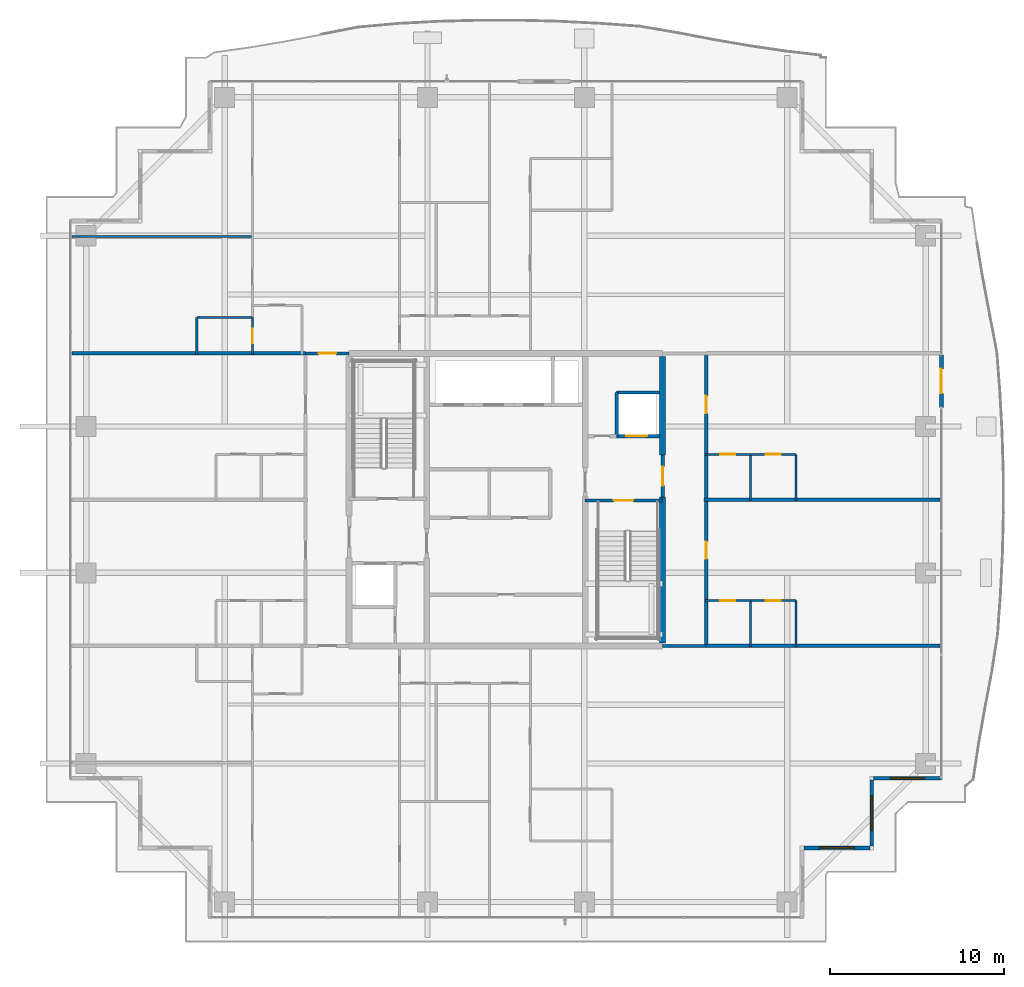
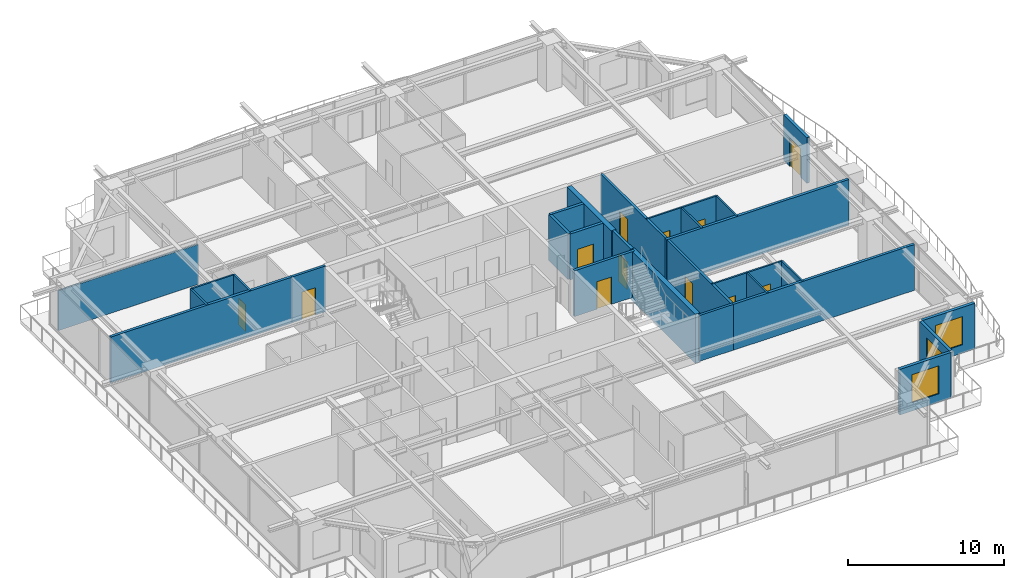
# One storey, part 28 of 38: 29 walls, 12 doors, 3 windows, 15 openings.
"""IFC4 building model written with IfcOpenShell, lengths in metres."""

from ifc_helpers import new_model, si_unit, direction, frame, frame_2d, origin, place, context, subcontext, project, spatial, rectangle, extrude, source, transform, mapped, material, layer, layer_set, type_object, element, fill, save


model = new_model("IFC4")

# Units and contexts
model_context = context("Model", 3, precision=1e-05, world=origin(), true_north=direction((0.0, 1.0)))
body_context = subcontext(model_context, "Body", "Model", "MODEL_VIEW")
ifc_project = project(units=[si_unit("LENGTHUNIT", "METRE"), si_unit("AREAUNIT", "SQUARE_METRE"), si_unit("VOLUMEUNIT", "CUBIC_METRE"), si_unit("PLANEANGLEUNIT", "RADIAN"), si_unit("MASSUNIT", "GRAM", prefix="KILO")], contexts=[model_context])

# Site, building, storey
site_placement = place(None, origin())
site = spatial("IfcSite", under=ifc_project, at=site_placement, CompositionType="ELEMENT")
building_placement = place(site_placement, origin())
building = spatial("IfcBuilding", under=site, at=building_placement, Name="Serunith Strait Residences", CompositionType="ELEMENT")
storey_placement = place(building_placement, frame((0.0, 0.0, 264.35009765625)))
storey = spatial("IfcBuildingStorey", under=building, at=storey_placement, Name="L66", CompositionType="ELEMENT", Elevation=264.35009765625)

# Wall, opening, window
ifc_material_1 = material(Name="Pale-Champagne Aluminium Insulated Panel", Category="aluminium")
ifc_layer_1 = layer(ifc_material_1, 0.219970703125, Name="Pale-Champagne Aluminium Insulated Panel")
ifc_layer_set_1 = layer_set([ifc_layer_1], Name="Pale-Champagne Aluminium Insulated Panel")
wall_type_1 = type_object("IfcWallType", Name="EW-ALUM-220", PredefinedType="ELEMENTEDWALL", material=ifc_layer_set_1)
wall_1_placement = place(storey_placement, frame((49.510009765625, 5.199951171875, 0.0), z_axis=(0.0, 0.0, 1.0), x_axis=(1.0, 0.0, 0.0)))
wall_1 = element("IfcWall", 1, at=wall_1_placement, inside=storey, type_object=wall_type_1, Name="L66 Girih Serrated Corner Wall 03", PredefinedType="ELEMENTEDWALL", context=body_context, shape_type="SweptSolid", body=[
    extrude(rectangle(XDim=3.780029296875, YDim=0.219970703125, at=frame_2d((1.89013671875, 0.0))), origin(), (0.0, 0.0, 1.0), 3.574951171875),
])
opening_1_placement = place(wall_1_placement, frame((0.889892578125, 0.0, 0.64990234375)))
opening_1 = element("IfcOpeningElement", 2, at=opening_1_placement, cuts=wall_1, Name="Opening W-04", PredefinedType="OPENING", context=body_context, shape_type="SweptSolid", body=[
    extrude(rectangle(XDim=2.0, YDim=2.199951171875, at=frame_2d((1.0, 1.10009765625))), frame((0.0, 0.1201171875, 0.0), z_axis=(0.0, -1.0, 0.0), x_axis=(1.0, 0.0, 0.0)), (0.0, 0.0, 1.0), 0.239990234375),
])
ifc_material_2 = material(Name="Ceramic-Fritted Operable Aluminium Window Glass", Category="aluminium")
window_type = type_object("IfcWindowType", Name="WIN-C4", PartitioningType="TRIPLE_PANEL_VERTICAL", PredefinedType="WINDOW", material=ifc_material_2)
shared_shape_1 = source(origin(), body_context, "Body", "SweptSolid", [
    extrude(rectangle(XDim=2.0, YDim=2.199951171875, at=frame_2d((1.0, 1.10009765625))), frame((0.0, 0.030029296875, 0.0), z_axis=(0.0, -1.0, 0.0), x_axis=(1.0, 0.0, 0.0)), (0.0, 0.0, 1.0), 0.06005859375),
])
window_1_placement = place(opening_1_placement, origin())
window_1 = element("IfcWindow", 3, at=window_1_placement, inside=storey, type_object=window_type, Name="L66 Corner Operable Fritted Window 03", OverallHeight=2.199951171875, OverallWidth=2.0, PartitioningType="SINGLE_PANEL", PredefinedType="WINDOW", context=body_context, shape_type="MappedRepresentation", body=[
    mapped(shared_shape_1, transform((0.0, 0.0, 0.0), scale=1.0)),
])
fill(opening_1, window_1)

wall_2_placement = place(storey_placement, frame((53.39990234375, 5.31005859375, 0.0), z_axis=(0.0, 0.0, 1.0), x_axis=(0.0, 1.0, 0.0)))
wall_2 = element("IfcWall", 4, at=wall_2_placement, inside=storey, type_object=wall_type_1, Name="L66 Girih Serrated Corner Wall 04", PredefinedType="ELEMENTEDWALL", context=body_context, shape_type="SweptSolid", body=[
    extrude(rectangle(XDim=3.780029296875, YDim=0.219970703125, at=frame_2d((1.89013671875, 0.0))), origin(), (0.0, 0.0, 1.0), 3.574951171875),
])
opening_2_placement = place(wall_2_placement, frame((0.889892578125, 0.0, 0.64990234375)))
opening_2 = element("IfcOpeningElement", 5, at=opening_2_placement, cuts=wall_2, Name="Opening W-04", PredefinedType="OPENING", context=body_context, shape_type="SweptSolid", body=[
    extrude(rectangle(XDim=2.0, YDim=2.199951171875, at=frame_2d((1.0, 1.10009765625))), frame((0.0, 0.1201171875, 0.0), z_axis=(0.0, -1.0, 0.0), x_axis=(1.0, 0.0, 0.0)), (0.0, 0.0, 1.0), 0.239990234375),
])
window_2_placement = place(opening_2_placement, origin())
window_2 = element("IfcWindow", 6, at=window_2_placement, inside=storey, type_object=window_type, Name="L66 Corner Operable Fritted Window 04", OverallHeight=2.199951171875, OverallWidth=2.0, PartitioningType="SINGLE_PANEL", PredefinedType="WINDOW", context=body_context, shape_type="MappedRepresentation", body=[
    mapped(shared_shape_1, transform((0.0, 0.0, 0.0), scale=1.0)),
])
fill(opening_2, window_2)

wall_3_placement = place(storey_placement, frame((53.510009765625, 9.199951171875, 0.0), z_axis=(0.0, 0.0, 1.0), x_axis=(1.0, 0.0, 0.0)))
wall_3 = element("IfcWall", 7, at=wall_3_placement, inside=storey, type_object=wall_type_1, Name="L66 Girih Serrated Corner Wall 05", PredefinedType="ELEMENTEDWALL", context=body_context, shape_type="SweptSolid", body=[
    extrude(rectangle(XDim=3.889892578125, YDim=0.219970703125, at=frame_2d((1.94482421875, 0.0))), origin(), (0.0, 0.0, 1.0), 3.574951171875),
])
opening_3_placement = place(wall_3_placement, frame((0.945068359375, 0.0, 0.64990234375)))
opening_3 = element("IfcOpeningElement", 8, at=opening_3_placement, cuts=wall_3, Name="Opening W-04", PredefinedType="OPENING", context=body_context, shape_type="SweptSolid", body=[
    extrude(rectangle(XDim=2.0, YDim=2.199951171875, at=frame_2d((1.0, 1.10009765625))), frame((0.0, 0.1201171875, 0.0), z_axis=(0.0, -1.0, 0.0), x_axis=(1.0, 0.0, 0.0)), (0.0, 0.0, 1.0), 0.239990234375),
])
window_3_placement = place(opening_3_placement, origin())
window_3 = element("IfcWindow", 9, at=window_3_placement, inside=storey, type_object=window_type, Name="L66 Corner Operable Fritted Window 05", OverallHeight=2.199951171875, OverallWidth=2.0, PartitioningType="SINGLE_PANEL", PredefinedType="WINDOW", context=body_context, shape_type="MappedRepresentation", body=[
    mapped(shared_shape_1, transform((0.0, 0.0, 0.0), scale=1.0)),
])
fill(opening_3, window_3)

# Wall, opening, door
wall_4_placement = place(storey_placement, frame((57.39990234375, 30.5, 0.0), z_axis=(0.0, 0.0, 1.0), x_axis=(0.0, 1.0, 0.0)))
wall_4 = element("IfcWall", 10, at=wall_4_placement, inside=storey, type_object=wall_type_1, Name="L66 E Facade Pier Wall", PredefinedType="ELEMENTEDWALL", context=body_context, shape_type="SweptSolid", body=[
    extrude(rectangle(XDim=3.0, YDim=0.219970703125, at=frame_2d((1.5, 0.0))), origin(), (0.0, 0.0, 1.0), 3.574951171875),
])
opening_4_placement = place(wall_4_placement, frame((0.800048828125, 0.0, 0.0)))
opening_4 = element("IfcOpeningElement", 11, at=opening_4_placement, cuts=wall_4, Name="Opening ED-04", PredefinedType="OPENING", context=body_context, shape_type="SweptSolid", body=[
    extrude(rectangle(XDim=1.39990234375, YDim=2.25, at=frame_2d((0.699951171875, 1.125))), frame((0.0, 0.1201171875, 0.0), z_axis=(0.0, -1.0, 0.0), x_axis=(1.0, 0.0, 0.0)), (0.0, 0.0, 1.0), 0.239990234375),
])
ifc_material_3 = material(Name="Thermally-Broken Aluminium Sliding Balcony Door", Category="aluminium")
door_type_1 = type_object("IfcDoorType", Name="ED-BALC-1400", OperationType="NOTDEFINED", PredefinedType="DOOR", material=ifc_material_3)
shared_shape_2 = source(origin(), body_context, "Body", "SweptSolid", [
    extrude(rectangle(XDim=1.39990234375, YDim=2.25, at=frame_2d((0.699951171875, 1.125))), frame((0.0, 0.02490234375, 0.0), z_axis=(0.0, -1.0, 0.0), x_axis=(1.0, 0.0, 0.0)), (0.0, 0.0, 1.0), 0.050048828125),
])
door_1_placement = place(opening_4_placement, origin())
door_1 = element("IfcDoor", 12, at=door_1_placement, inside=storey, type_object=door_type_1, Name="L66 E Vertical-Forest Balcony Door", OperationType="SLIDING_TO_LEFT", OverallHeight=2.25, OverallWidth=1.39990234375, PredefinedType="DOOR", context=body_context, shape_type="MappedRepresentation", body=[
    mapped(shared_shape_2, transform((0.0, 0.0, 0.0), scale=1.0)),
])
fill(opening_4, door_1)

ifc_material_4 = material(Name="Fire-rated acoustic gypsum partition")
ifc_layer_2 = layer(ifc_material_4, 0.179931640625, Name="Fire-rated acoustic gypsum partition")
ifc_layer_set_2 = layer_set([ifc_layer_2], Name="Fire-rated acoustic gypsum partition")
wall_type_2 = type_object("IfcWallType", Name="IW-CORR-180", PredefinedType="PARTITIONING", material=ifc_layer_set_2)
wall_5_placement = place(storey_placement, frame((20.902099609375, 33.60009765625, 0.0), z_axis=(0.0, 0.0, 1.0), x_axis=(1.0, 0.0, 0.0)))
wall_5 = element("IfcWall", 13, at=wall_5_placement, inside=storey, type_object=wall_type_2, Name="L66 Partition Wall 025", PredefinedType="PARTITIONING", context=body_context, shape_type="SweptSolid", body=[
    extrude(rectangle(XDim=2.495849609375, YDim=0.179931640625, at=frame_2d((1.248046875, 0.0))), origin(), (0.0, 0.0, 1.0), 3.58984375),
])
opening_5_placement = place(wall_5_placement, frame((0.748046875, 0.0, 0.0)))
opening_5 = element("IfcOpeningElement", 14, at=opening_5_placement, cuts=wall_5, Name="Opening D-APT1000", PredefinedType="OPENING", context=body_context, shape_type="SweptSolid", body=[
    extrude(rectangle(XDim=1.0, YDim=2.14990234375, at=frame_2d((0.5, 1.074951171875))), frame((0.0, 0.10009765625, 0.0), z_axis=(0.0, -1.0, 0.0), x_axis=(1.0, 0.0, 0.0)), (0.0, 0.0, 1.0), 0.199951171875),
])
ifc_material_5 = material(Name="Solid timber engineered fire door", Category="wood")
door_type_2 = type_object("IfcDoorType", Name="ID-APT-1000", OperationType="NOTDEFINED", PredefinedType="DOOR", material=ifc_material_5)
shared_shape_3 = source(origin(), body_context, "Body", "SweptSolid", [
    extrude(rectangle(XDim=1.0, YDim=2.14990234375, at=frame_2d((0.5, 1.074951171875))), frame((0.0, 0.02490234375, 0.0), z_axis=(0.0, -1.0, 0.0), x_axis=(1.0, 0.0, 0.0)), (0.0, 0.0, 1.0), 0.050048828125),
])
door_2_placement = place(opening_5_placement, origin())
door_2 = element("IfcDoor", 15, at=door_2_placement, inside=storey, type_object=door_type_2, Name="L66 Unit 02 Entrance Door", OperationType="SINGLE_SWING_LEFT", OverallHeight=2.14990234375, OverallWidth=1.0, PredefinedType="DOOR", context=body_context, shape_type="MappedRepresentation", body=[
    mapped(shared_shape_3, transform((0.0, 0.0, 0.0), scale=1.0)),
])
fill(opening_5, door_2)

# Wall
wall_6_placement = place(storey_placement, frame((41.402099609375, 16.800048828125, 0.0), z_axis=(0.0, 0.0, 1.0), x_axis=(1.0, 0.0, 0.0)))
element("IfcWall", 16, at=wall_6_placement, inside=storey, type_object=wall_type_2, Name="L66 Partition Wall 027", PredefinedType="PARTITIONING", context=body_context, shape_type="SweptSolid", body=[
    extrude(rectangle(XDim=2.495849609375, YDim=0.179931640625, at=frame_2d((1.248046875, 0.0))), origin(), (0.0, 0.0, 1.0), 3.58984375),
])

# Wall, openings, doors
wall_7_placement = place(storey_placement, frame((43.89990234375, 16.800048828125, 0.0), z_axis=(0.0, 0.0, 1.0), x_axis=(0.0, 1.0, 0.0)))
wall_7 = element("IfcWall", 17, at=wall_7_placement, inside=storey, type_object=wall_type_2, Name="L66 Partition Wall 029", PredefinedType="PARTITIONING", context=body_context, shape_type="SweptSolid", body=[
    extrude(rectangle(XDim=16.800048828125, YDim=0.179931640625, at=frame_2d((8.39990234375, 0.0))), origin(), (0.0, 0.0, 1.0), 3.58984375),
])
opening_6_placement = place(wall_7_placement, frame((4.992919921875, 0.0, 0.0)))
opening_6 = element("IfcOpeningElement", 18, at=opening_6_placement, cuts=wall_7, Name="Opening D-APT1000", PredefinedType="OPENING", context=body_context, shape_type="SweptSolid", body=[
    extrude(rectangle(XDim=1.0, YDim=2.14990234375, at=frame_2d((0.5, 1.074951171875))), frame((0.0, 0.10009765625, 0.0), z_axis=(0.0, -1.0, 0.0), x_axis=(1.0, 0.0, 0.0)), (0.0, 0.0, 1.0), 0.199951171875),
])
opening_7_placement = place(wall_7_placement, frame((13.35107421875, 0.0, 0.0)))
opening_7 = element("IfcOpeningElement", 19, at=opening_7_placement, cuts=wall_7, Name="Opening D-APT1000", PredefinedType="OPENING", context=body_context, shape_type="SweptSolid", body=[
    extrude(rectangle(XDim=1.0, YDim=2.14990234375, at=frame_2d((0.5, 1.074951171875))), frame((0.0, 0.10009765625, 0.0), z_axis=(0.0, -1.0, 0.0), x_axis=(1.0, 0.0, 0.0)), (0.0, 0.0, 1.0), 0.199951171875),
])
door_3_placement = place(opening_6_placement, origin())
door_3 = element("IfcDoor", 20, at=door_3_placement, inside=storey, type_object=door_type_2, Name="L66 Unit 05 Entrance Door", OperationType="SINGLE_SWING_RIGHT", OverallHeight=2.14990234375, OverallWidth=1.0, PredefinedType="DOOR", context=body_context, shape_type="MappedRepresentation", body=[
    mapped(shared_shape_3, transform((0.0, 0.0, 0.0), scale=1.0)),
])
fill(opening_6, door_3)
door_4_placement = place(opening_7_placement, origin())
door_4 = element("IfcDoor", 21, at=door_4_placement, inside=storey, type_object=door_type_2, Name="L66 Unit 06 Entrance Door", OperationType="SINGLE_SWING_LEFT", OverallHeight=2.14990234375, OverallWidth=1.0, PredefinedType="DOOR", context=body_context, shape_type="MappedRepresentation", body=[
    mapped(shared_shape_3, transform((0.0, 0.0, 0.0), scale=1.0)),
])
fill(opening_7, door_4)

# Walls
ifc_material_6 = material(Name="Lightweight steel-stud gypsum partition", Category="steel")
ifc_layer_3 = layer(ifc_material_6, 0.1201171875, Name="Lightweight steel-stud gypsum partition")
ifc_layer_set_3 = layer_set([ifc_layer_3], Name="Lightweight steel-stud gypsum partition")
wall_type_3 = type_object("IfcWallType", Name="IW-PART-120", PredefinedType="PARTITIONING", material=ifc_layer_set_3)
wall_8_placement = place(storey_placement, frame((7.4951171875, 40.305908203125, 0.0), z_axis=(0.0, 0.0, 1.0), x_axis=(1.0, 0.0, 0.0)))
element("IfcWall", 22, at=wall_8_placement, inside=storey, type_object=wall_type_3, Name="L66 Partition Wall 056", PredefinedType="PARTITIONING", context=body_context, shape_type="SweptSolid", body=[
    extrude(rectangle(XDim=10.35498046875, YDim=0.1201171875, at=frame_2d((5.177490234375, 0.0))), origin(), (0.0, 0.0, 1.0), 3.121826171875),
])
wall_9_placement = place(storey_placement, frame((14.64990234375, 35.64990234375, 0.0), z_axis=(0.0, 0.0, 1.0), x_axis=(1.0, 0.0, 0.0)))
element("IfcWall", 23, at=wall_9_placement, inside=storey, type_object=wall_type_3, Name="L66 Partition Wall 057", PredefinedType="PARTITIONING", context=body_context, shape_type="SweptSolid", body=[
    extrude(rectangle(XDim=3.2001953125, YDim=0.1201171875, at=frame_2d((1.60009765625, 0.0))), origin(), (0.0, 0.0, 1.0), 3.58984375),
])
wall_10_placement = place(storey_placement, frame((14.64990234375, 35.64990234375, 0.0), z_axis=(0.0, 0.0, 1.0), x_axis=(0.0, -1.0, 0.0)))
element("IfcWall", 24, at=wall_10_placement, inside=storey, type_object=wall_type_3, Name="L66 Partition Wall 058", PredefinedType="PARTITIONING", context=body_context, shape_type="SweptSolid", body=[
    extrude(rectangle(XDim=2.10986328125, YDim=0.1201171875, at=frame_2d((1.054931640625, 0.0))), origin(), (0.0, 0.0, 1.0), 3.58984375),
])

# Wall, opening, door
wall_11_placement = place(storey_placement, frame((17.85009765625, 35.64794921875, 0.0), z_axis=(0.0, 0.0, 1.0), x_axis=(0.0, -1.0, 0.0)))
wall_11 = element("IfcWall", 25, at=wall_11_placement, inside=storey, type_object=wall_type_3, Name="L66 Partition Wall 060", PredefinedType="PARTITIONING", context=body_context, shape_type="SweptSolid", body=[
    extrude(rectangle(XDim=2.10791015625, YDim=0.1201171875, at=frame_2d((1.053955078125, 0.0))), origin(), (0.0, 0.0, 1.0), 3.58984375),
])
opening_8_placement = place(wall_11_placement, frame((0.62890625, 0.0, 0.0)))
opening_8 = element("IfcOpeningElement", 26, at=opening_8_placement, cuts=wall_11, Name="Opening D-BTH850", PredefinedType="OPENING", context=body_context, shape_type="SweptSolid", body=[
    extrude(rectangle(XDim=0.85009765625, YDim=2.10009765625, at=frame_2d((0.425048828125, 1.050048828125))), frame((0.0, 0.070068359375, 0.0), z_axis=(0.0, -1.0, 0.0), x_axis=(1.0, 0.0, 0.0)), (0.0, 0.0, 1.0), 0.14013671875),
])
ifc_material_7 = material(Name="Moisture-resistant timber bathroom door", Category="wood")
door_type_3 = type_object("IfcDoorType", Name="ID-BATH-850", OperationType="NOTDEFINED", PredefinedType="DOOR", material=ifc_material_7)
shared_shape_4 = source(origin(), body_context, "Body", "SweptSolid", [
    extrude(rectangle(XDim=0.85009765625, YDim=2.10009765625, at=frame_2d((0.425048828125, 1.050048828125))), frame((0.0, 0.02490234375, 0.0), z_axis=(0.0, -1.0, 0.0), x_axis=(1.0, 0.0, 0.0)), (0.0, 0.0, 1.0), 0.050048828125),
])
door_5_placement = place(opening_8_placement, origin())
door_5 = element("IfcDoor", 27, at=door_5_placement, inside=storey, type_object=door_type_3, Name="L66 Bathroom 6602 Door", OperationType="SINGLE_SWING_RIGHT", OverallHeight=2.10009765625, OverallWidth=0.85009765625, PredefinedType="DOOR", context=body_context, shape_type="MappedRepresentation", body=[
    mapped(shared_shape_4, transform((0.0, 0.0, 0.0), scale=1.0)),
])
fill(opening_8, door_5)

wall_12_placement = place(storey_placement, frame((49.050048828125, 19.39990234375, 0.0), z_axis=(0.0, 0.0, 1.0), x_axis=(-1.0, 0.0, 0.0)))
wall_12 = element("IfcWall", 28, at=wall_12_placement, inside=storey, type_object=wall_type_3, Name="L66 Partition Wall 084", PredefinedType="PARTITIONING", context=body_context, shape_type="SweptSolid", body=[
    extrude(rectangle(XDim=2.60009765625, YDim=0.1201171875, at=frame_2d((1.300048828125, 0.0))), origin(), (0.0, 0.0, 1.0), 3.58984375),
])
opening_9_placement = place(wall_12_placement, frame((0.875, 0.0, 0.0)))
opening_9 = element("IfcOpeningElement", 29, at=opening_9_placement, cuts=wall_12, Name="Opening D-RM850", PredefinedType="OPENING", context=body_context, shape_type="SweptSolid", body=[
    extrude(rectangle(XDim=0.85009765625, YDim=2.10009765625, at=frame_2d((0.425048828125, 1.050048828125))), frame((0.0, 0.070068359375, 0.0), z_axis=(0.0, -1.0, 0.0), x_axis=(1.0, 0.0, 0.0)), (0.0, 0.0, 1.0), 0.14013671875),
])
ifc_material_8 = material(Name="Engineered timber flush study and kitchen door", Category="wood")
door_type_4 = type_object("IfcDoorType", Name="ID-ROOM-850", OperationType="NOTDEFINED", PredefinedType="DOOR", material=ifc_material_8)
door_6_placement = place(opening_9_placement, origin())
door_6 = element("IfcDoor", 30, at=door_6_placement, inside=storey, type_object=door_type_4, Name="L66 Kitchen 6605 Door", OperationType="SINGLE_SWING_RIGHT", OverallHeight=2.10009765625, OverallWidth=0.85009765625, PredefinedType="DOOR", context=body_context, shape_type="MappedRepresentation", body=[
    mapped(shared_shape_4, transform((0.0, 0.0, 0.0), scale=1.0)),
])
fill(opening_9, door_6)

wall_13_placement = place(storey_placement, frame((46.447998046875, 19.39990234375, 0.0), z_axis=(0.0, 0.0, 1.0), x_axis=(-1.0, 0.0, 0.0)))
wall_13 = element("IfcWall", 31, at=wall_13_placement, inside=storey, type_object=wall_type_3, Name="L66 Partition Wall 085", PredefinedType="PARTITIONING", context=body_context, shape_type="SweptSolid", body=[
    extrude(rectangle(XDim=2.60791015625, YDim=0.1201171875, at=frame_2d((1.303955078125, 0.0))), origin(), (0.0, 0.0, 1.0), 3.58984375),
])
opening_10_placement = place(wall_13_placement, frame((0.87890625, 0.0, 0.0)))
opening_10 = element("IfcOpeningElement", 32, at=opening_10_placement, cuts=wall_13, Name="Opening D-BTH850", PredefinedType="OPENING", context=body_context, shape_type="SweptSolid", body=[
    extrude(rectangle(XDim=0.85009765625, YDim=2.10009765625, at=frame_2d((0.425048828125, 1.050048828125))), frame((0.0, 0.070068359375, 0.0), z_axis=(0.0, -1.0, 0.0), x_axis=(1.0, 0.0, 0.0)), (0.0, 0.0, 1.0), 0.14013671875),
])
door_7_placement = place(opening_10_placement, origin())
door_7 = element("IfcDoor", 33, at=door_7_placement, inside=storey, type_object=door_type_3, Name="L66 Bathroom 6605 Door", OperationType="SINGLE_SWING_LEFT", OverallHeight=2.10009765625, OverallWidth=0.85009765625, PredefinedType="DOOR", context=body_context, shape_type="MappedRepresentation", body=[
    mapped(shared_shape_4, transform((0.0, 0.0, 0.0), scale=1.0)),
])
fill(opening_10, door_7)

# Walls
for number, where, z_axis, x_axis, name in (
    (34, (46.449951171875, 16.739990234375, 0.0), (0.0, 0.0, 1.0), (0.0, 1.0, 0.0), "L66 Partition Wall 086"),
    (35, (49.050048828125, 16.739990234375, 0.0), (0.0, 0.0, 1.0), (0.0, 1.0, 0.0), "L66 Partition Wall 087"),
):
    element("IfcWall", number, at=place(storey_placement, frame(where, z_axis=z_axis, x_axis=x_axis)), inside=storey, type_object=wall_type_3, Name=name, PredefinedType="PARTITIONING", context=body_context, shape_type="SweptSolid", body=[
        extrude(rectangle(XDim=2.659912109375, YDim=0.1201171875, at=frame_2d((1.330078125, 0.0))), origin(), (0.0, 0.0, 1.0), 3.58984375),
    ])

# Wall, opening, door
wall_14_placement = place(storey_placement, frame((49.050048828125, 27.800048828125, 0.0), z_axis=(0.0, 0.0, 1.0), x_axis=(-1.0, 0.0, 0.0)))
wall_14 = element("IfcWall", 36, at=wall_14_placement, inside=storey, type_object=wall_type_3, Name="L66 Partition Wall 088", PredefinedType="PARTITIONING", context=body_context, shape_type="SweptSolid", body=[
    extrude(rectangle(XDim=2.60009765625, YDim=0.1201171875, at=frame_2d((1.300048828125, 0.0))), origin(), (0.0, 0.0, 1.0), 3.58984375),
])
opening_11_placement = place(wall_14_placement, frame((0.875, 0.0, 0.0)))
opening_11 = element("IfcOpeningElement", 37, at=opening_11_placement, cuts=wall_14, Name="Opening D-RM850", PredefinedType="OPENING", context=body_context, shape_type="SweptSolid", body=[
    extrude(rectangle(XDim=0.85009765625, YDim=2.10009765625, at=frame_2d((0.425048828125, 1.050048828125))), frame((0.0, 0.070068359375, 0.0), z_axis=(0.0, -1.0, 0.0), x_axis=(1.0, 0.0, 0.0)), (0.0, 0.0, 1.0), 0.14013671875),
])
door_8_placement = place(opening_11_placement, origin())
door_8 = element("IfcDoor", 38, at=door_8_placement, inside=storey, type_object=door_type_4, Name="L66 Kitchen 6606 Door", OperationType="SINGLE_SWING_RIGHT", OverallHeight=2.10009765625, OverallWidth=0.85009765625, PredefinedType="DOOR", context=body_context, shape_type="MappedRepresentation", body=[
    mapped(shared_shape_4, transform((0.0, 0.0, 0.0), scale=1.0)),
])
fill(opening_11, door_8)

wall_15_placement = place(storey_placement, frame((46.447998046875, 27.800048828125, 0.0), z_axis=(0.0, 0.0, 1.0), x_axis=(-1.0, 0.0, 0.0)))
wall_15 = element("IfcWall", 39, at=wall_15_placement, inside=storey, type_object=wall_type_3, Name="L66 Partition Wall 089", PredefinedType="PARTITIONING", context=body_context, shape_type="SweptSolid", body=[
    extrude(rectangle(XDim=2.60791015625, YDim=0.1201171875, at=frame_2d((1.303955078125, 0.0))), origin(), (0.0, 0.0, 1.0), 3.58984375),
])
opening_12_placement = place(wall_15_placement, frame((0.87890625, 0.0, 0.0)))
opening_12 = element("IfcOpeningElement", 40, at=opening_12_placement, cuts=wall_15, Name="Opening D-BTH850", PredefinedType="OPENING", context=body_context, shape_type="SweptSolid", body=[
    extrude(rectangle(XDim=0.85009765625, YDim=2.10009765625, at=frame_2d((0.425048828125, 1.050048828125))), frame((0.0, 0.070068359375, 0.0), z_axis=(0.0, -1.0, 0.0), x_axis=(1.0, 0.0, 0.0)), (0.0, 0.0, 1.0), 0.14013671875),
])
door_9_placement = place(opening_12_placement, origin())
door_9 = element("IfcDoor", 41, at=door_9_placement, inside=storey, type_object=door_type_3, Name="L66 Bathroom 6606 Door", OperationType="SINGLE_SWING_LEFT", OverallHeight=2.10009765625, OverallWidth=0.85009765625, PredefinedType="DOOR", context=body_context, shape_type="MappedRepresentation", body=[
    mapped(shared_shape_4, transform((0.0, 0.0, 0.0), scale=1.0)),
])
fill(opening_12, door_9)

# Walls
for number, where, z_axis, x_axis, name in (
    (42, (46.449951171875, 25.139892578125, 0.0), (0.0, 0.0, 1.0), (0.0, 1.0, 0.0), "L66 Partition Wall 090"),
    (43, (49.050048828125, 25.139892578125, 0.0), (0.0, 0.0, 1.0), (0.0, 1.0, 0.0), "L66 Partition Wall 091"),
):
    element("IfcWall", number, at=place(storey_placement, frame(where, z_axis=z_axis, x_axis=x_axis)), inside=storey, type_object=wall_type_3, Name=name, PredefinedType="PARTITIONING", context=body_context, shape_type="SweptSolid", body=[
        extrude(rectangle(XDim=2.66015625, YDim=0.1201171875, at=frame_2d((1.330078125, 0.0))), origin(), (0.0, 0.0, 1.0), 3.58984375),
    ])
ifc_material_9 = material(Name="Twin-stud acoustic gypsum board partition")
ifc_layer_4 = layer(ifc_material_9, 0.199951171875, Name="Twin-stud acoustic gypsum board partition")
ifc_layer_set_4 = layer_set([ifc_layer_4], Name="Twin-stud acoustic gypsum board partition")
wall_type_4 = type_object("IfcWallType", Name="IW-PARTY-200", PredefinedType="PARTITIONING", material=ifc_layer_set_4)
wall_16_placement = place(storey_placement, frame((43.780029296875, 25.199951171875, 0.0), z_axis=(0.0, 0.0, 1.0), x_axis=(1.0, 0.0, 0.0)))
element("IfcWall", 44, at=wall_16_placement, inside=storey, type_object=wall_type_4, Name="L66 Partition Wall 019", PredefinedType="PARTITIONING", context=body_context, shape_type="SweptSolid", body=[
    extrude(rectangle(XDim=13.5380859375, YDim=0.199951171875, at=frame_2d((6.76904296875, 0.0))), origin(), (0.0, 0.0, 1.0), 3.58984375),
])
wall_17_placement = place(storey_placement, frame((43.89990234375, 16.800048828125, 0.0), z_axis=(0.0, 0.0, 1.0), x_axis=(1.0, 0.0, 0.0)))
element("IfcWall", 45, at=wall_17_placement, inside=storey, type_object=wall_type_4, Name="L66 Partition Wall 021", PredefinedType="PARTITIONING", context=body_context, shape_type="SweptSolid", body=[
    extrude(rectangle(XDim=13.418212890625, YDim=0.199951171875, at=frame_2d((6.708984375, 0.0))), origin(), (0.0, 0.0, 1.0), 3.58984375),
])
wall_18_placement = place(storey_placement, frame((7.48193359375, 33.60009765625, 0.0), z_axis=(0.0, 0.0, 1.0), x_axis=(1.0, 0.0, 0.0)))
element("IfcWall", 46, at=wall_18_placement, inside=storey, type_object=wall_type_4, Name="L66 Partition Wall 022", PredefinedType="PARTITIONING", context=body_context, shape_type="SweptSolid", body=[
    extrude(rectangle(XDim=13.41796875, YDim=0.199951171875, at=frame_2d((6.708984375, 0.0))), origin(), (0.0, 0.0, 1.0), 3.58984375),
])

# Wall, opening, door
ifc_material_10 = material(Name="Autoclaved aerated concrete blockwork", Category="masonry")
ifc_layer_5 = layer(ifc_material_10, 0.199951171875, Name="Autoclaved aerated concrete blockwork")
ifc_layer_set_5 = layer_set([ifc_layer_5], Name="Autoclaved aerated concrete blockwork")
wall_type_5 = type_object("IfcWallType", Name="IW-SHAFT-200", PredefinedType="STANDARD", material=ifc_layer_set_5)
wall_19_placement = place(storey_placement, frame((36.949951171875, 25.14990234375, 0.0), z_axis=(0.0, 0.0, 1.0), x_axis=(1.0, 0.0, 0.0)))
wall_19 = element("IfcWall", 47, at=wall_19_placement, inside=storey, type_object=wall_type_5, Name="L66 ST-2 North Shaft Wall", PredefinedType="STANDARD", context=body_context, shape_type="SweptSolid", body=[
    extrude(rectangle(XDim=4.449951171875, YDim=0.199951171875, at=frame_2d((2.22509765625, 0.0))), origin(), (0.0, 0.0, 1.0), 3.58984375),
])
opening_13_placement = place(wall_19_placement, frame((1.64990234375, 0.0, 0.0)))
opening_13 = element("IfcOpeningElement", 48, at=opening_13_placement, cuts=wall_19, Name="Opening FD-1100", PredefinedType="OPENING", context=body_context, shape_type="SweptSolid", body=[
    extrude(rectangle(XDim=1.10009765625, YDim=2.14990234375, at=frame_2d((0.550048828125, 1.074951171875))), frame((0.0, 0.10986328125, 0.0), z_axis=(0.0, -1.0, 0.0), x_axis=(1.0, 0.0, 0.0)), (0.0, 0.0, 1.0), 0.219970703125),
])
ifc_material_11 = material(Name="Galvanised steel fire door leaf", Category="steel")
door_type_5 = type_object("IfcDoorType", Name="FD-STAIR-1100", OperationType="NOTDEFINED", PredefinedType="DOOR", material=ifc_material_11)
shared_shape_5 = source(origin(), body_context, "Body", "SweptSolid", [
    extrude(rectangle(XDim=1.10009765625, YDim=2.14990234375, at=frame_2d((0.550048828125, 1.074951171875))), frame((0.0, 0.02490234375, 0.0), z_axis=(0.0, -1.0, 0.0), x_axis=(1.0, 0.0, 0.0)), (0.0, 0.0, 1.0), 0.050048828125),
])
door_10_placement = place(opening_13_placement, origin())
door_10 = element("IfcDoor", 49, at=door_10_placement, inside=storey, type_object=door_type_5, Name="L66 ST-2 Escape Stair Door", OperationType="SINGLE_SWING_LEFT", OverallHeight=2.14990234375, OverallWidth=1.10009765625, PredefinedType="DOOR", context=body_context, shape_type="MappedRepresentation", body=[
    mapped(shared_shape_5, transform((0.0, 0.0, 0.0), scale=1.0)),
])
fill(opening_13, door_10)

wall_20_placement = place(storey_placement, frame((38.75, 28.85009765625, 0.0), z_axis=(0.0, 0.0, 1.0), x_axis=(1.0, 0.0, 0.0)))
wall_20 = element("IfcWall", 50, at=wall_20_placement, inside=storey, type_object=wall_type_5, Name="L66 FL-2 South Shaft Wall", PredefinedType="STANDARD", context=body_context, shape_type="SweptSolid", body=[
    extrude(rectangle(XDim=2.47509765625, YDim=0.199951171875, at=frame_2d((1.237548828125, 0.0))), origin(), (0.0, 0.0, 1.0), 3.58984375),
])
opening_14_placement = place(wall_20_placement, frame((0.550048828125, 0.0, 0.0)))
opening_14 = element("IfcOpeningElement", 51, at=opening_14_placement, cuts=wall_20, Name="Opening LD-FF1200", PredefinedType="OPENING", context=body_context, shape_type="SweptSolid", body=[
    extrude(rectangle(XDim=1.199951171875, YDim=2.199951171875, at=frame_2d((0.60009765625, 1.10009765625))), frame((0.0, 0.10986328125, 0.0), z_axis=(0.0, -1.0, 0.0), x_axis=(1.0, 0.0, 0.0)), (0.0, 0.0, 1.0), 0.219970703125),
])
ifc_material_12 = material(Name="Brushed stainless steel landing door", Category="steel")
door_type_6 = type_object("IfcDoorType", Name="LD-FF-1200", OperationType="DOUBLE_DOOR_SLIDING", PredefinedType="DOOR", material=ifc_material_12)
shared_shape_6 = source(origin(), body_context, "Body", "SweptSolid", [
    extrude(rectangle(XDim=1.199951171875, YDim=2.199951171875, at=frame_2d((0.60009765625, 1.10009765625))), frame((0.0, 0.02490234375, 0.0), z_axis=(0.0, -1.0, 0.0), x_axis=(1.0, 0.0, 0.0)), (0.0, 0.0, 1.0), 0.050048828125),
])
door_11_placement = place(opening_14_placement, origin())
door_11 = element("IfcDoor", 52, at=door_11_placement, inside=storey, type_object=door_type_6, Name="L66 FL-2 Landing Door", OperationType="DOUBLE_DOOR_SLIDING", OverallHeight=2.199951171875, OverallWidth=1.199951171875, PredefinedType="DOOR", context=body_context, shape_type="MappedRepresentation", body=[
    mapped(shared_shape_6, transform((0.0, 0.0, 0.0), scale=1.0)),
])
fill(opening_14, door_11)

# Walls
wall_21_placement = place(storey_placement, frame((38.75, 28.85009765625, 0.0), z_axis=(0.0, 0.0, 1.0), x_axis=(0.0, 1.0, 0.0)))
element("IfcWall", 53, at=wall_21_placement, inside=storey, type_object=wall_type_5, Name="L66 Partition Wall 004", PredefinedType="STANDARD", context=body_context, shape_type="SweptSolid", body=[
    extrude(rectangle(XDim=2.5, YDim=0.199951171875, at=frame_2d((1.25, 0.0))), origin(), (0.0, 0.0, 1.0), 3.58984375),
])
wall_22_placement = place(storey_placement, frame((38.75, 31.35009765625, 0.0), z_axis=(0.0, 0.0, 1.0), x_axis=(1.0, 0.0, 0.0)))
element("IfcWall", 54, at=wall_22_placement, inside=storey, type_object=wall_type_5, Name="L66 Partition Wall 005", PredefinedType="STANDARD", context=body_context, shape_type="SweptSolid", body=[
    extrude(rectangle(XDim=2.47509765625, YDim=0.199951171875, at=frame_2d((1.237548828125, 0.0))), origin(), (0.0, 0.0, 1.0), 3.58984375),
])

# Wall, opening, door
wall_23_placement = place(storey_placement, frame((41.39990234375, 25.35205078125, 0.0), z_axis=(0.0, 0.0, 1.0), x_axis=(0.0, 1.0, 0.0)))
wall_23 = element("IfcWall", 55, at=wall_23_placement, inside=storey, type_object=wall_type_5, Name="L66 Partition Wall 008", PredefinedType="STANDARD", context=body_context, shape_type="SweptSolid", body=[
    extrude(rectangle(XDim=2.39599609375, YDim=0.199951171875, at=frame_2d((1.197998046875, 0.0))), origin(), (0.0, 0.0, 1.0), 3.58984375),
])
opening_15_placement = place(wall_23_placement, frame((0.64794921875, 0.0, 0.0)))
opening_15 = element("IfcOpeningElement", 56, at=opening_15_placement, cuts=wall_23, Name="Opening FD-FFL", PredefinedType="OPENING", context=body_context, shape_type="SweptSolid", body=[
    extrude(rectangle(XDim=1.10009765625, YDim=2.14990234375, at=frame_2d((0.550048828125, 1.074951171875))), frame((0.0, 0.10986328125, 0.0), z_axis=(0.0, -1.0, 0.0), x_axis=(1.0, 0.0, 0.0)), (0.0, 0.0, 1.0), 0.219970703125),
])
ifc_material_13 = material(Name="Glazed steel smoke-lobby fire door", Category="steel")
door_type_7 = type_object("IfcDoorType", Name="FD-FFL-1100", OperationType="NOTDEFINED", PredefinedType="DOOR", material=ifc_material_13)
door_12_placement = place(opening_15_placement, origin())
door_12 = element("IfcDoor", 57, at=door_12_placement, inside=storey, type_object=door_type_7, Name="L66 FFL-2 Corridor Fire Door", OperationType="SINGLE_SWING_LEFT", OverallHeight=2.14990234375, OverallWidth=1.10009765625, PredefinedType="DOOR", context=body_context, shape_type="MappedRepresentation", body=[
    mapped(shared_shape_5, transform((0.0, 0.0, 0.0), scale=1.0)),
])
fill(opening_15, door_12)

# Walls
ifc_material_14 = material(Name="Concrete C60/75", Category="concrete")
ifc_layer_6 = layer(ifc_material_14, 0.35009765625, Name="Concrete C60/75")
ifc_layer_set_6 = layer_set([ifc_layer_6], Name="Concrete C60/75")
wall_type_6 = type_object("IfcWallType", Name="SW-350-C60", PredefinedType="SHEAR", material=ifc_layer_set_6)
wall_24_placement = place(storey_placement, frame((41.39990234375, 16.97509765625, -0.260009765625), z_axis=(0.0, 0.0, 1.0), x_axis=(0.0, 1.0, 0.0)))
element("IfcWall", 58, at=wall_24_placement, inside=storey, type_object=wall_type_6, Name="L66 Core East Shear Wall South Pier", PredefinedType="SHEAR", context=body_context, shape_type="SweptSolid", body=[
    extrude(rectangle(XDim=8.375, YDim=0.35009765625, at=frame_2d((4.1875, 0.0))), origin(), (0.0, 0.0, 1.0), 3.847900390625),
])
wall_25_placement = place(storey_placement, frame((41.39990234375, 27.75, -0.260009765625), z_axis=(0.0, 0.0, 1.0), x_axis=(0.0, 1.0, 0.0)))
element("IfcWall", 59, at=wall_25_placement, inside=storey, type_object=wall_type_6, Name="L66 Core East Shear Wall North Pier", PredefinedType="SHEAR", context=body_context, shape_type="SweptSolid", body=[
    extrude(rectangle(XDim=5.675048828125, YDim=0.35009765625, at=frame_2d((2.83740234375, 0.0))), origin(), (0.0, 0.0, 1.0), 3.847900390625),
])

save(model, "model.ifc")
